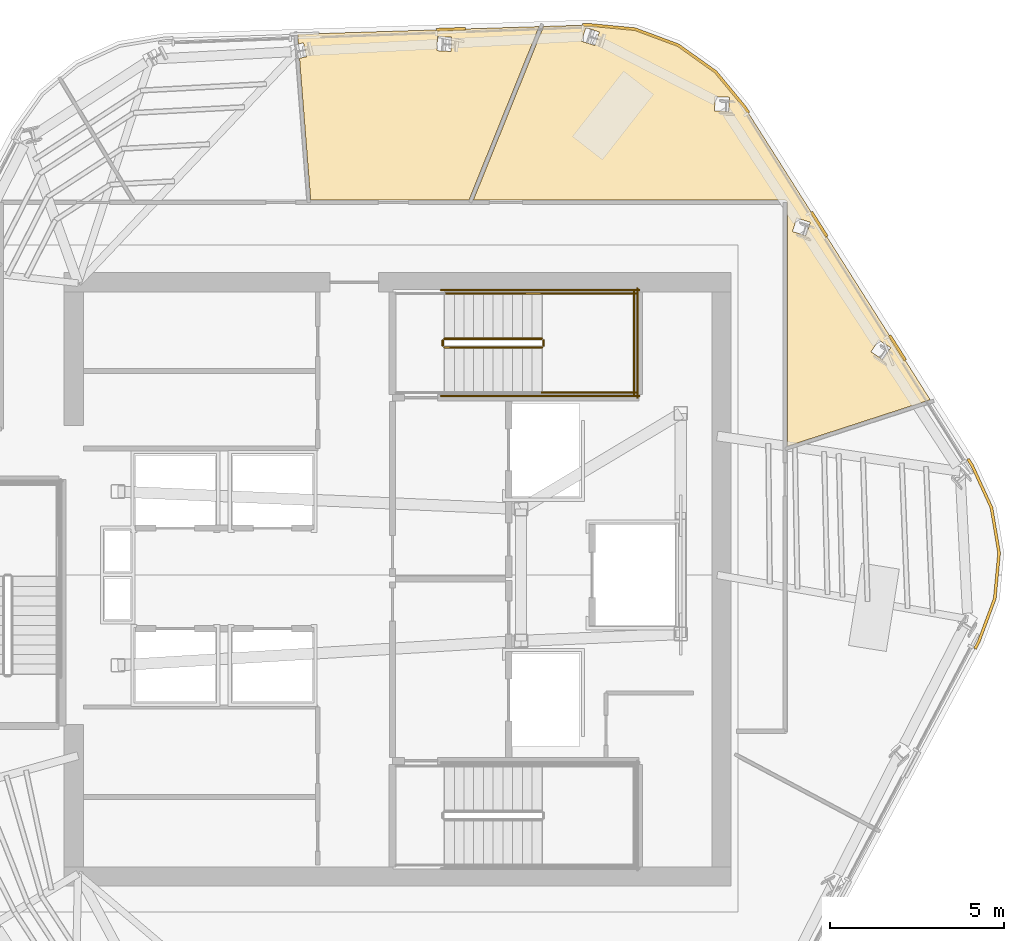
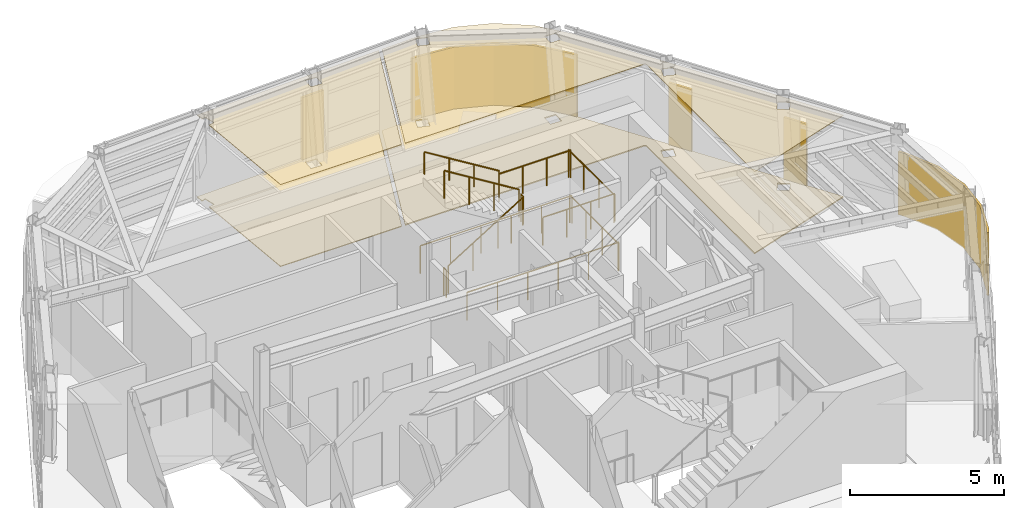
# One storey, part 12 of 13: 11 railings, 9 coverings.
"""IFC4 building model written with IfcOpenShell, lengths in metres."""

from ifc_helpers import new_model, si_unit, direction, frame, origin, origin_2d, place, context, subcontext, project, spatial, polyline, circle, outline, extrude, material, layer, layer_set, type_object, element, save


model = new_model("IFC4")

# Units and contexts
model_context = context("Model", 3, precision=1e-05, world=origin(), true_north=direction((0.0, 1.0)))
body_context = subcontext(model_context, "Body", "Model", "MODEL_VIEW")
ifc_project = project(units=[si_unit("LENGTHUNIT", "METRE"), si_unit("AREAUNIT", "SQUARE_METRE"), si_unit("VOLUMEUNIT", "CUBIC_METRE"), si_unit("PLANEANGLEUNIT", "RADIAN"), si_unit("MASSUNIT", "GRAM", prefix="KILO")], contexts=[model_context])

# Site, building, storey
site_placement = place(None, origin())
site = spatial("IfcSite", under=ifc_project, at=site_placement, CompositionType="ELEMENT")
building_placement = place(site_placement, origin())
building = spatial("IfcBuilding", under=site, at=building_placement, Name="Valkerne Bourse Tower", CompositionType="ELEMENT")
storey_placement = place(building_placement, frame((0.0, 0.0, 292.60009765625)))
storey = spatial("IfcBuildingStorey", under=building, at=storey_placement, Name="L74", CompositionType="ELEMENT", Elevation=292.60009765625)

# Coverings
ifc_material_1 = material(Name="Mineral Fiber Acoustic Ceiling Tile", Category="acoustic")
ifc_layer_1 = layer(ifc_material_1, 0.02490234375)
ifc_layer_set_1 = layer_set([ifc_layer_1], Name="Mineral Fiber Acoustic Ceiling Tile")
covering_type_1 = type_object("IfcCoveringType", Name="COV-CEIL-ACT", PredefinedType="CEILING", material=ifc_layer_set_1)
covering_1_placement = place(storey_placement, frame((0.0, 0.0, 3.25)))
element("IfcCovering", 1, at=covering_1_placement, inside=storey, type_object=covering_type_1, Name="L74 Suspended Ceiling 04", PredefinedType="CEILING", context=body_context, shape_type="SweptSolid", body=[
    extrude(outline(polyline([(44.296630859375, 37.7890625), (43.97509765625, 41.873291015625), (44.17822265625, 41.918212890625), (44.08935546875, 42.31787109375), (44.087158203125, 42.3173828125), (43.94287109375, 42.285400390625), (43.9208984375, 42.564208984375), (50.869384765625, 42.78466796875), (48.85107421875, 37.7890625), (44.296630859375, 37.7890625)]), holes=[polyline([(48.3544921875, 42.47802734375), (47.948974609375, 42.500732421875), (47.92578125, 42.09228515625), (47.927978515625, 42.092041015625), (48.33349609375, 42.069091796875), (48.356689453125, 42.477783203125), (48.3544921875, 42.47802734375)])]), origin(), (0.0, 0.0, 1.0), 0.02490234375),
])
covering_2_placement = place(storey_placement, frame((0.0, 0.0, 3.25)))
element("IfcCovering", 2, at=covering_2_placement, inside=storey, type_object=covering_type_1, Name="L74 Suspended Ceiling 06", PredefinedType="CEILING", context=body_context, shape_type="SweptSolid", body=[
    extrude(outline(polyline([(54.871826171875, 42.2451171875), (55.947509765625, 41.480712890625), (56.794921875, 40.45654296875), (62.130859375, 32.043212890625), (58.01904296875, 30.707275390625), (58.01904296875, 37.720703125), (58.009033203125, 37.756103515625), (57.979248046875, 37.78271484375), (57.950439453125, 37.7890625), (48.978271484375, 37.7890625), (50.998291015625, 42.78857421875), (52.3115234375, 42.830322265625), (53.63525390625, 42.705078125), (54.871826171875, 42.2451171875)]), holes=[polyline([(60.989990234375, 33.5400390625), (60.64794921875, 33.763916015625), (60.4248046875, 33.424072265625), (60.42578125, 33.422119140625), (60.767578125, 33.1982421875), (60.990966796875, 33.5380859375), (60.989990234375, 33.5400390625)]), polyline([(58.677001953125, 37.152099609375), (58.287109375, 37.2744140625), (58.164794921875, 36.88671875), (58.166015625, 36.885009765625), (58.55615234375, 36.7626953125), (58.678466796875, 37.150390625), (58.677001953125, 37.152099609375)]), polyline([(56.348388671875, 40.75), (55.9404296875, 40.769287109375), (55.920166015625, 40.36328125), (55.922119140625, 40.362060546875), (56.330322265625, 40.342529296875), (56.3505859375, 40.74853515625), (56.348388671875, 40.75)]), polyline([(52.60498046875, 42.628173828125), (52.602783203125, 42.62890625), (52.216552734375, 42.75390625), (52.0908203125, 42.3642578125), (52.093017578125, 42.363525390625), (52.47900390625, 42.23876953125), (52.60498046875, 42.628173828125)])]), origin(), (0.0, 0.0, 1.0), 0.02490234375),
])
ifc_material_2 = material(Name="Bronze Anodised Aluminium AA 6063-T6", Category="aluminium")
ifc_layer_2 = layer(ifc_material_2, 0.06005859375)
ifc_layer_set_2 = layer_set([ifc_layer_2], Name="Bronze Anodised Aluminium AA 6063-T6")
covering_type_2 = type_object("IfcCoveringType", Name="COV-CRN-ALUM", PredefinedType="CLADDING", material=ifc_layer_set_2)
covering_3_placement = place(storey_placement, origin())
element("IfcCovering", 3, at=covering_3_placement, inside=storey, type_object=covering_type_2, Name="L74 Wind-Shaped Corner Aluminium Cladding 01", PredefinedType="CLADDING", context=body_context, shape_type="SweptSolid", body=[
    extrude(outline(polyline([(63.930908203125, 28.94873046875), (64.153076171875, 27.63623046875), (64.02783203125, 26.31103515625), (63.5615234375, 25.057373046875), (63.45361328125, 24.856201171875), (63.3828125, 24.8935546875), (63.488525390625, 25.09033203125), (63.94921875, 26.3291015625), (64.072509765625, 27.63330078125), (63.85400390625, 28.925048828125), (63.3037109375, 30.126708984375), (63.18408203125, 30.3154296875), (63.251953125, 30.35791015625), (63.374267578125, 30.164794921875), (63.930908203125, 28.94873046875)])), origin(), (0.0, 0.0, 1.0), 2.5),
])
covering_4_placement = place(storey_placement, origin())
element("IfcCovering", 4, at=covering_4_placement, inside=storey, type_object=covering_type_2, Name="L74 Wind-Shaped Corner Aluminium Cladding 15", PredefinedType="CLADDING", context=body_context, shape_type="SweptSolid", body=[
    extrude(outline(polyline([(48.749755859375, 42.761474609375), (48.752685546875, 42.681396484375), (47.9130859375, 42.65478515625), (47.91015625, 42.734619140625), (48.749755859375, 42.761474609375)])), origin(), (0.0, 0.0, 1.0), 2.5),
])
covering_5_placement = place(storey_placement, origin())
element("IfcCovering", 5, at=covering_5_placement, inside=storey, type_object=covering_type_2, Name="L74 Wind-Shaped Corner Aluminium Cladding 16", PredefinedType="CLADDING", context=body_context, shape_type="SweptSolid", body=[
    extrude(outline(polyline([(52.31298828125, 42.87451171875), (53.64501953125, 42.74853515625), (54.892578125, 42.284423828125), (55.977783203125, 41.51318359375), (56.83056640625, 40.482421875), (56.93408203125, 40.319580078125), (56.8662109375, 40.27685546875), (56.765869140625, 40.435302734375), (55.9228515625, 41.4541015625), (54.85498046875, 42.213134765625), (53.627197265625, 42.669921875), (52.310546875, 42.794189453125), (52.123046875, 42.788330078125), (52.1201171875, 42.8681640625), (52.31298828125, 42.87451171875)])), origin(), (0.0, 0.0, 1.0), 2.5),
])
covering_6_placement = place(storey_placement, origin())
element("IfcCovering", 6, at=covering_6_placement, inside=storey, type_object=covering_type_2, Name="L74 Wind-Shaped Corner Aluminium Cladding 17", PredefinedType="CLADDING", context=body_context, shape_type="SweptSolid", body=[
    extrude(outline(polyline([(59.18994140625, 36.762451171875), (59.122314453125, 36.719970703125), (58.67236328125, 37.42919921875), (58.739990234375, 37.4716796875), (59.18994140625, 36.762451171875)])), origin(), (0.0, 0.0, 1.0), 2.5),
])
covering_7_placement = place(storey_placement, origin())
element("IfcCovering", 7, at=covering_7_placement, inside=storey, type_object=covering_type_2, Name="L74 Wind-Shaped Corner Aluminium Cladding 18", PredefinedType="CLADDING", context=body_context, shape_type="SweptSolid", body=[
    extrude(outline(polyline([(61.44580078125, 33.20556640625), (61.378173828125, 33.1630859375), (60.92822265625, 33.872314453125), (60.995849609375, 33.914794921875), (61.44580078125, 33.20556640625)])), origin(), (0.0, 0.0, 1.0), 2.5),
])
ifc_material_3 = material(Name="Galvanised Painted Steel", Category="steel")
ifc_layer_3 = layer(ifc_material_3, 0.044921875)
ifc_layer_set_3 = layer_set([ifc_layer_3], Name="Galvanised Painted Steel")
covering_type_3 = type_object("IfcCoveringType", Name="COV-FLR-RAF", PredefinedType="FLOORING", material=ifc_layer_set_3)
covering_8_placement = place(storey_placement, origin())
element("IfcCovering", 8, at=covering_8_placement, inside=storey, type_object=covering_type_3, Name="L74 Floor Finish 06", PredefinedType="FLOORING", context=body_context, shape_type="SweptSolid", body=[
    extrude(outline(polyline([(54.871826171875, 42.2451171875), (55.947509765625, 41.480712890625), (56.794921875, 40.45654296875), (62.130859375, 32.043212890625), (58.01904296875, 30.707275390625), (58.01904296875, 37.720703125), (58.009033203125, 37.756103515625), (57.979248046875, 37.78271484375), (57.950439453125, 37.7890625), (48.978271484375, 37.7890625), (50.998291015625, 42.78857421875), (52.3115234375, 42.830322265625), (53.63525390625, 42.705078125), (54.871826171875, 42.2451171875)]), holes=[polyline([(60.989990234375, 33.5400390625), (60.64794921875, 33.763916015625), (60.4248046875, 33.424072265625), (60.42578125, 33.422119140625), (60.767578125, 33.1982421875), (60.990966796875, 33.5380859375), (60.989990234375, 33.5400390625)]), polyline([(58.677001953125, 37.152099609375), (58.287109375, 37.2744140625), (58.164794921875, 36.88671875), (58.166015625, 36.885009765625), (58.55615234375, 36.7626953125), (58.678466796875, 37.150390625), (58.677001953125, 37.152099609375)]), polyline([(56.348388671875, 40.75), (55.9404296875, 40.769287109375), (55.920166015625, 40.36328125), (55.922119140625, 40.362060546875), (56.330322265625, 40.342529296875), (56.3505859375, 40.74853515625), (56.348388671875, 40.75)]), polyline([(52.60498046875, 42.628173828125), (52.602783203125, 42.62890625), (52.216552734375, 42.75390625), (52.0908203125, 42.3642578125), (52.093017578125, 42.363525390625), (52.47900390625, 42.23876953125), (52.60498046875, 42.628173828125)])]), origin(), (0.0, 0.0, 1.0), 0.044921875),
])
ifc_material_4 = material(Name="Polished Granite Stone", Category="masonry")
ifc_layer_4 = layer(ifc_material_4, 0.030029296875)
ifc_layer_set_4 = layer_set([ifc_layer_4], Name="Polished Granite Stone")
covering_type_4 = type_object("IfcCoveringType", Name="COV-FLR-TERRAZZO", PredefinedType="FLOORING", material=ifc_layer_set_4)
covering_9_placement = place(storey_placement, origin())
element("IfcCovering", 9, at=covering_9_placement, inside=storey, type_object=covering_type_4, Name="L74 Floor Finish 04", PredefinedType="FLOORING", context=body_context, shape_type="SweptSolid", body=[
    extrude(outline(polyline([(44.296630859375, 37.7890625), (43.97509765625, 41.873291015625), (44.17822265625, 41.918212890625), (44.08935546875, 42.31787109375), (44.087158203125, 42.3173828125), (43.94287109375, 42.285400390625), (43.9208984375, 42.564208984375), (50.869384765625, 42.78466796875), (48.85107421875, 37.7890625), (44.296630859375, 37.7890625)]), holes=[polyline([(48.3544921875, 42.47802734375), (47.948974609375, 42.500732421875), (47.92578125, 42.09228515625), (47.927978515625, 42.092041015625), (48.33349609375, 42.069091796875), (48.356689453125, 42.477783203125), (48.3544921875, 42.47802734375)])]), origin(), (0.0, 0.0, 1.0), 0.02978515625),
])

# Railings
railing_type_1 = type_object("IfcRailingType", Name="RLG-ST-GUARD-1120", PredefinedType="GUARDRAIL", material=ifc_material_3)
railing_1_placement = place(storey_placement, frame((48.14990234375, 33.550048828125, 0.172607421875)))
element("IfcRailing", 10, at=railing_1_placement, inside=storey, type_object=railing_type_1, Name="L74 ST-2 stair guard 1", PredefinedType="GUARDRAIL", context=body_context, shape_type="SweptSolid", body=[
    extrude(circle(Radius=0.02392578125, at=origin_2d()), frame((0.0, 0.0, 1.09619140625), z_axis=(0.851089632645, 0.0, 0.525020415988), x_axis=(0.0, 1.0, 0.0)), (0.0, 0.0, 1.0), 3.2900390625),
    extrude(circle(Radius=0.02099609375, at=origin_2d()), origin(), (0.0, 0.0, 1.0), 1.072021484375),
    extrude(circle(Radius=0.02099609375, at=origin_2d()), frame((0.933349609375, 0.0, 0.57568359375)), (0.0, 0.0, 1.0), 1.072021484375),
    extrude(circle(Radius=0.02099609375, at=origin_2d()), frame((1.86669921875, 0.0, 1.151611328125)), (0.0, 0.0, 1.0), 1.072021484375),
    extrude(circle(Radius=0.02099609375, at=origin_2d()), frame((2.800048828125, 0.0, 1.727294921875)), (0.0, 0.0, 1.0), 1.072021484375),
])
railing_2_placement = place(storey_placement, frame((51.0, 33.60009765625, 1.89990234375)))
element("IfcRailing", 11, at=railing_2_placement, inside=storey, type_object=railing_type_1, Name="L74 ST-2 stair guard 2", PredefinedType="GUARDRAIL", context=body_context, shape_type="SweptSolid", body=[
    extrude(circle(Radius=0.02392578125, at=origin_2d()), frame((0.0, 0.0, 1.09619140625), z_axis=(0.0, 1.0, 0.0), x_axis=(-1.0, 0.0, 0.0)), (0.0, 0.0, 1.0), 0.14990234375),
    extrude(circle(Radius=0.02099609375, at=origin_2d()), origin(), (0.0, 0.0, 1.0), 1.072021484375),
    extrude(circle(Radius=0.02099609375, at=origin_2d()), frame((0.0, 0.14990234375, 0.0)), (0.0, 0.0, 1.0), 1.072021484375),
])
for number, where, name in (
    (12, (50.949951171875, 32.25, 1.89990234375), "L74 ST-2 stair guard 3"),
    (13, (50.949951171875, 35.10009765625, 1.89990234375), "L74 ST-2 stair guard 4"),
):
    element("IfcRailing", number, at=place(storey_placement, frame(where)), inside=storey, type_object=railing_type_1, Name=name, PredefinedType="GUARDRAIL", context=body_context, shape_type="SweptSolid", body=[
        extrude(circle(Radius=0.02392578125, at=origin_2d()), frame((0.0, 0.0, 1.09619140625), z_axis=(1.0, 0.0, 0.0), x_axis=(0.0, 1.0, 0.0)), (0.0, 0.0, 1.0), 2.699951171875),
        extrude(circle(Radius=0.02099609375, at=origin_2d()), origin(), (0.0, 0.0, 1.0), 1.072021484375),
        extrude(circle(Radius=0.02099609375, at=origin_2d()), frame((0.89990234375, 0.0, 0.0)), (0.0, 0.0, 1.0), 1.072021484375),
        extrude(circle(Radius=0.02099609375, at=origin_2d()), frame((1.800048828125, 0.0, 0.0)), (0.0, 0.0, 1.0), 1.072021484375),
        extrude(circle(Radius=0.02099609375, at=origin_2d()), frame((2.699951171875, 0.0, 0.0)), (0.0, 0.0, 1.0), 1.072021484375),
    ])
railing_3_placement = place(storey_placement, frame((53.60009765625, 32.199951171875, 1.89990234375)))
element("IfcRailing", 14, at=railing_3_placement, inside=storey, type_object=railing_type_1, Name="L74 ST-2 stair guard 5", PredefinedType="GUARDRAIL", context=body_context, shape_type="SweptSolid", body=[
    extrude(circle(Radius=0.02392578125, at=origin_2d()), frame((0.0, 0.0, 1.09619140625), z_axis=(0.0, 1.0, 0.0), x_axis=(-1.0, 0.0, 0.0)), (0.0, 0.0, 1.0), 2.949951171875),
    extrude(circle(Radius=0.02099609375, at=origin_2d()), origin(), (0.0, 0.0, 1.0), 1.072021484375),
    extrude(circle(Radius=0.02099609375, at=origin_2d()), frame((0.0, 0.9833984375, 0.0)), (0.0, 0.0, 1.0), 1.072021484375),
    extrude(circle(Radius=0.02099609375, at=origin_2d()), frame((0.0, 1.966552734375, 0.0)), (0.0, 0.0, 1.0), 1.072021484375),
    extrude(circle(Radius=0.02099609375, at=origin_2d()), frame((0.0, 2.949951171875, 0.0)), (0.0, 0.0, 1.0), 1.072021484375),
])
railing_4_placement = place(storey_placement, frame((50.949951171875, 33.800048828125, 2.072509765625)))
element("IfcRailing", 15, at=railing_4_placement, inside=storey, type_object=railing_type_1, Name="L74 ST-2 stair guard 6", PredefinedType="GUARDRAIL", context=body_context, shape_type="SweptSolid", body=[
    extrude(circle(Radius=0.02392578125, at=origin_2d()), frame((0.0, 0.0, 1.09619140625), z_axis=(-0.851089632645, 0.0, 0.525020415988), x_axis=(0.0, -1.0, 0.0)), (0.0, 0.0, 1.0), 3.2900390625),
    extrude(circle(Radius=0.02099609375, at=origin_2d()), origin(), (0.0, 0.0, 1.0), 1.072021484375),
    extrude(circle(Radius=0.02099609375, at=origin_2d()), frame((-0.933349609375, 0.0, 0.57568359375)), (0.0, 0.0, 1.0), 1.072021484375),
    extrude(circle(Radius=0.02099609375, at=origin_2d()), frame((-1.86669921875, 0.0, 1.151611328125)), (0.0, 0.0, 1.0), 1.072021484375),
    extrude(circle(Radius=0.02099609375, at=origin_2d()), frame((-2.800048828125, 0.0, 1.727294921875)), (0.0, 0.0, 1.0), 1.072021484375),
])
railing_5_placement = place(storey_placement, frame((48.10009765625, 33.60009765625, 0.0)))
element("IfcRailing", 16, at=railing_5_placement, inside=storey, type_object=railing_type_1, Name="L74 ST-2 stair guard 7", PredefinedType="GUARDRAIL", context=body_context, shape_type="SweptSolid", body=[
    extrude(circle(Radius=0.02392578125, at=origin_2d()), frame((0.0, 0.0, 1.09619140625), z_axis=(0.0, 1.0, 0.0), x_axis=(-1.0, 0.0, 0.0)), (0.0, 0.0, 1.0), 0.14990234375),
    extrude(circle(Radius=0.02099609375, at=origin_2d()), origin(), (0.0, 0.0, 1.0), 1.072021484375),
    extrude(circle(Radius=0.02099609375, at=origin_2d()), frame((0.0, 0.14990234375, 0.0)), (0.0, 0.0, 1.0), 1.072021484375),
])
for number, where, name in (
    (17, (48.050048828125, 32.14990234375, 0.0), "L74 ST-2 stair guard 10"),
    (18, (48.050048828125, 35.199951171875, 0.0), "L74 ST-2 stair guard 11"),
):
    element("IfcRailing", number, at=place(storey_placement, frame(where)), inside=storey, type_object=railing_type_1, Name=name, PredefinedType="GUARDRAIL", context=body_context, shape_type="SweptSolid", body=[
        extrude(circle(Radius=0.02392578125, at=origin_2d()), frame((0.0, 0.0, 1.09619140625), z_axis=(1.0, 0.0, 0.0), x_axis=(0.0, 1.0, 0.0)), (0.0, 0.0, 1.0), 5.699951171875),
        extrude(circle(Radius=0.02099609375, at=origin_2d()), origin(), (0.0, 0.0, 1.0), 1.072021484375),
        extrude(circle(Radius=0.02099609375, at=origin_2d()), frame((1.139892578125, 0.0, 0.0)), (0.0, 0.0, 1.0), 1.072021484375),
        extrude(circle(Radius=0.02099609375, at=origin_2d()), frame((2.280029296875, 0.0, 0.0)), (0.0, 0.0, 1.0), 1.072021484375),
        extrude(circle(Radius=0.02099609375, at=origin_2d()), frame((3.419921875, 0.0, 0.0)), (0.0, 0.0, 1.0), 1.072021484375),
        extrude(circle(Radius=0.02099609375, at=origin_2d()), frame((4.56005859375, 0.0, 0.0)), (0.0, 0.0, 1.0), 1.072021484375),
        extrude(circle(Radius=0.02099609375, at=origin_2d()), frame((5.699951171875, 0.0, 0.0)), (0.0, 0.0, 1.0), 1.072021484375),
    ])
railing_6_placement = place(storey_placement, frame((53.699951171875, 32.10009765625, 0.0)))
element("IfcRailing", 19, at=railing_6_placement, inside=storey, type_object=railing_type_1, Name="L74 ST-2 stair guard 12", PredefinedType="GUARDRAIL", context=body_context, shape_type="SweptSolid", body=[
    extrude(circle(Radius=0.02392578125, at=origin_2d()), frame((0.0, 0.0, 1.09619140625), z_axis=(0.0, 1.0, 0.0), x_axis=(-1.0, 0.0, 0.0)), (0.0, 0.0, 1.0), 3.14990234375),
    extrude(circle(Radius=0.02099609375, at=origin_2d()), origin(), (0.0, 0.0, 1.0), 1.072021484375),
    extrude(circle(Radius=0.02099609375, at=origin_2d()), frame((0.0, 1.050048828125, 0.0)), (0.0, 0.0, 1.0), 1.072021484375),
    extrude(circle(Radius=0.02099609375, at=origin_2d()), frame((0.0, 2.099853515625, 0.0)), (0.0, 0.0, 1.0), 1.072021484375),
    extrude(circle(Radius=0.02099609375, at=origin_2d()), frame((0.0, 3.14990234375, 0.0)), (0.0, 0.0, 1.0), 1.072021484375),
])
ifc_material_5 = material(Name="Stainless Steel AISI 316", Category="steel")
railing_type_2 = type_object("IfcRailingType", Name="RLG-ST-HANDRAIL-900", PredefinedType="HANDRAIL", material=ifc_material_5)
railing_7_placement = place(storey_placement, frame((50.949951171875, 35.10009765625, 2.245361328125)))
element("IfcRailing", 20, at=railing_7_placement, inside=storey, type_object=railing_type_2, Name="L74 ST-2 stair handrail 2", PredefinedType="HANDRAIL", context=body_context, shape_type="SweptSolid", body=[
    extrude(circle(Radius=0.02392578125, at=origin_2d()), frame((0.0, 0.0, 0.8759765625), z_axis=(-0.851089632645, 0.0, 0.525020415988), x_axis=(0.0, -1.0, 0.0)), (0.0, 0.0, 1.0), 3.2900390625),
    extrude(circle(Radius=0.02099609375, at=origin_2d()), origin(), (0.0, 0.0, 1.0), 0.851806640625),
    extrude(circle(Radius=0.02099609375, at=origin_2d()), frame((-0.933349609375, 0.0, 0.57568359375)), (0.0, 0.0, 1.0), 0.851806640625),
    extrude(circle(Radius=0.02099609375, at=origin_2d()), frame((-1.86669921875, 0.0, 1.151611328125)), (0.0, 0.0, 1.0), 0.851806640625),
    extrude(circle(Radius=0.02099609375, at=origin_2d()), frame((-2.800048828125, 0.0, 1.727294921875)), (0.0, 0.0, 1.0), 0.851806640625),
])

save(model, "model.ifc")
